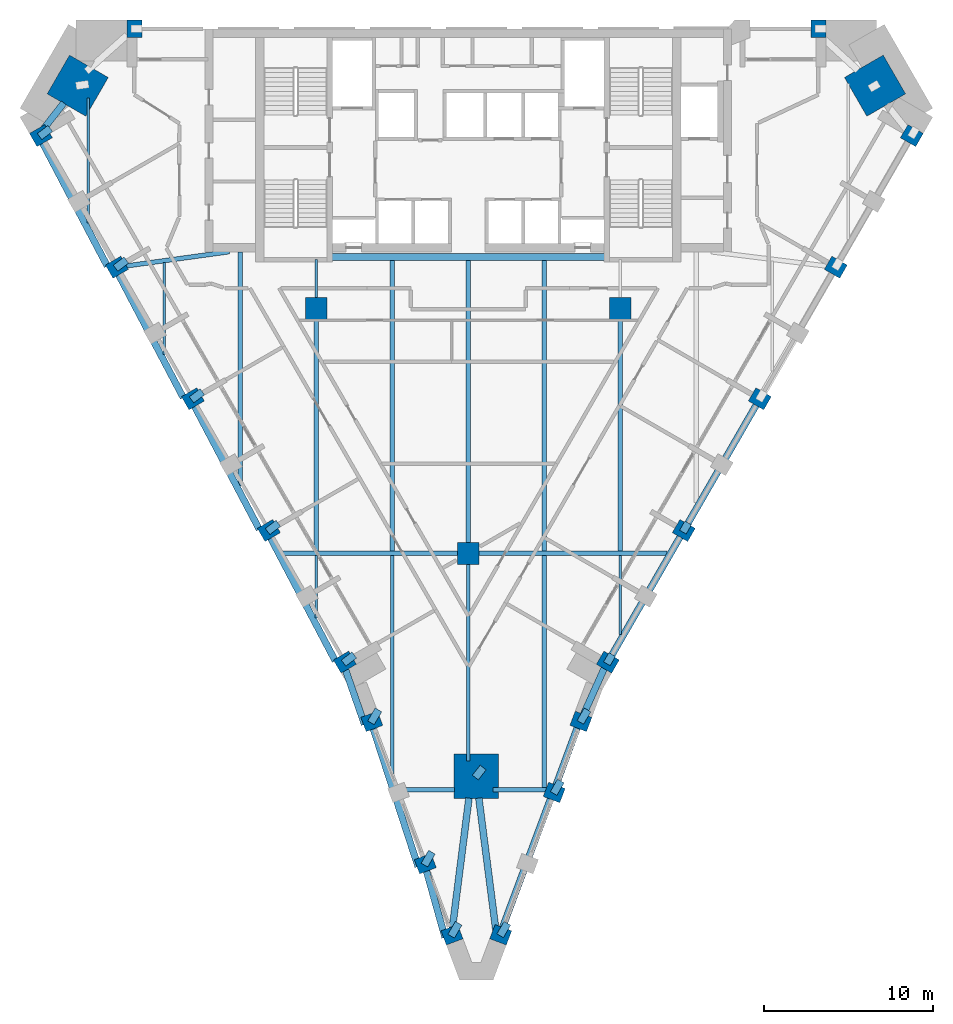
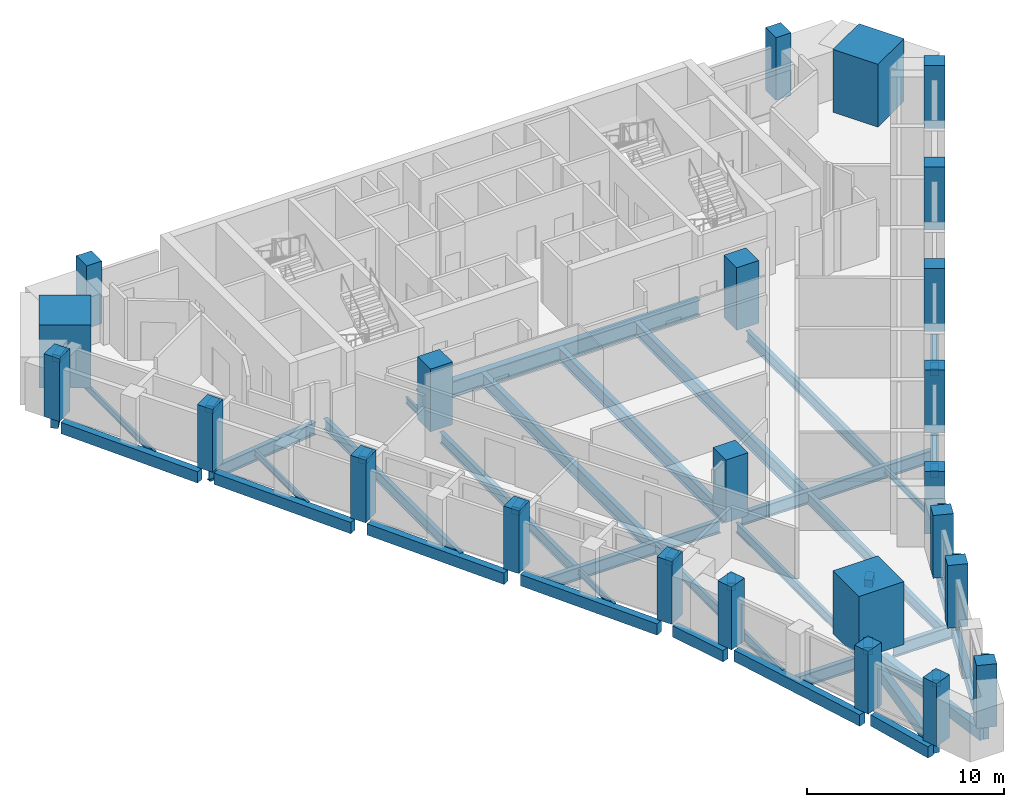
# One storey, part 1 of 10: 49 beams, 24 columns.
"""IFC4 building model written with IfcOpenShell, lengths in metres."""

from ifc_helpers import new_model, si_unit, direction, frame, origin, origin_2d, place, context, subcontext, project, spatial, rectangle, i_section, extrude, material, material_profile, profile_set, type_object, element, save


model = new_model("IFC4")

# Units and contexts
model_context = context("Model", 3, precision=1e-05, world=origin(), true_north=direction((0.0, 1.0)))
body_context = subcontext(model_context, "Body", "Model", "MODEL_VIEW")
ifc_project = project(units=[si_unit("LENGTHUNIT", "METRE"), si_unit("AREAUNIT", "SQUARE_METRE"), si_unit("VOLUMEUNIT", "CUBIC_METRE"), si_unit("PLANEANGLEUNIT", "RADIAN"), si_unit("MASSUNIT", "GRAM", prefix="KILO")], contexts=[model_context])

# Site, building, storey
site_placement = place(None, origin())
site = spatial("IfcSite", under=ifc_project, at=site_placement, CompositionType="ELEMENT")
building_placement = place(site_placement, origin())
building = spatial("IfcBuilding", under=site, at=building_placement, Name="Calabash Gate Tower", CompositionType="ELEMENT")
storey_placement = place(building_placement, frame((0.0, 0.0, 175.800048828125)))
storey = spatial("IfcBuildingStorey", under=building, at=storey_placement, Name="L41", CompositionType="ELEMENT", Elevation=175.800048828125)

# Columns
ifc_material_1 = material(Name="Concrete C70/85", Category="concrete")
ifc_material_profile_1 = material_profile(ifc_material_1, rectangle(XDim=1.300048828125, YDim=1.300048828125, at=origin_2d()))
ifc_profile_set_1 = profile_set([ifc_material_profile_1], Name="Concrete C70/85")
column_type_1 = type_object("IfcColumnType", Name="Interior column RC 1300x1300 Concrete C70/85", PredefinedType="COLUMN", material=ifc_profile_set_1)
for number, where, z_axis, x_axis, name in (
    (1, (-9.0, 2.5, 0.0), (0.0, 0.0, 1.0), (1.0, 0.0, 0.0), "Interior column L41 I0"),
    (2, (9.0, 2.5, 0.0), (0.0, 0.0, 1.0), (1.0, 0.0, 0.0), "Interior column L41 I1"),
    (3, (0.0, -12.0, 0.0), (0.0, 0.0, 1.0), (1.0, 0.0, 0.0), "Interior column L41 I2"),
):
    element("IfcColumn", number, at=place(storey_placement, frame(where, z_axis=z_axis, x_axis=x_axis)), inside=storey, type_object=column_type_1, Name=name, PredefinedType="COLUMN", context=body_context, shape_type="SweptSolid", body=[
        extrude(rectangle(XDim=1.300048828125, YDim=1.300048828125, at=origin_2d()), origin(), (0.0, 0.0, 1.0), 3.89990234375),
    ])
ifc_material_2 = material(Name="Concrete C70/85", Category="concrete")
ifc_material_profile_2 = material_profile(ifc_material_2, rectangle(XDim=2.64990234375, YDim=2.64990234375, at=origin_2d()))
ifc_profile_set_2 = profile_set([ifc_material_profile_2], Name="Concrete C70/85")
column_type_2 = type_object("IfcColumnType", Name="Mega column RC 2650x2650 Concrete C70/85", PredefinedType="COLUMN", material=ifc_profile_set_2)
for number, where, z_axis, x_axis, name in (
    (4, (-23.1259765625, 15.68896484375, 0.0), (0.0, 0.0, 1.0), (0.866025386331, -0.50000003023, 0.0), "Mega column L41 NW"),
    (5, (24.0869140625, 15.68896484375, 0.0), (0.0, 0.0, 1.0), (-0.866025386331, -0.50000003023, 0.0), "Mega column L41 NE"),
    (6, (0.47998046875, -25.197998046875, 0.0), (0.0, 0.0, 1.0), (0.0, 1.0, 0.0), "Mega column L41 S"),
):
    element("IfcColumn", number, at=place(storey_placement, frame(where, z_axis=z_axis, x_axis=x_axis)), inside=storey, type_object=column_type_2, Name=name, PredefinedType="COLUMN", context=body_context, shape_type="SweptSolid", body=[
        extrude(rectangle(XDim=2.64990234375, YDim=2.64990234375, at=origin_2d()), origin(), (0.0, 0.0, 1.0), 3.89990234375),
    ])
ifc_material_3 = material(Name="Concrete C60/75", Category="concrete")
ifc_material_profile_3 = material_profile(ifc_material_3, rectangle(XDim=0.89990234375, YDim=1.050048828125, at=origin_2d()))
ifc_profile_set_3 = profile_set([ifc_material_profile_3], Name="Concrete C60/75")
column_type_3 = type_object("IfcColumnType", Name="Perimeter column RC 900x1050 Concrete C60/75", PredefinedType="COLUMN", material=ifc_profile_set_3)
for number, where, z_axis, x_axis, name in (
    (7, (-25.303955078125, 12.73291015625, 0.0), (0.0, 0.0, 1.0), (0.5, -0.866025403784, 0.0), "Perimeter column L41 P20"),
    (8, (-20.803955078125, 4.93896484375, 0.0), (0.0, 0.0, 1.0), (0.5, -0.866025403784, 0.0), "Perimeter column L41 P00"),
    (9, (-16.303955078125, -2.85302734375, 0.0), (0.0, 0.0, 1.0), (0.5, -0.866025403784, 0.0), "Perimeter column L41 P01"),
    (10, (-11.803955078125, -10.64990234375, 0.0), (0.0, 0.0, 1.0), (0.5, -0.866025403784, 0.0), "Perimeter column L41 P02"),
    (11, (-7.303955078125, -18.444091796875, 0.0), (0.0, 0.0, 1.0), (0.5, -0.866025403784, 0.0), "Perimeter column L41 P03"),
    (12, (-5.7119140625, -21.951904296875, 0.0), (0.0, 0.0, 1.0), (0.351822468316, -0.936066744836, 0.0), "Perimeter column L41 P25"),
    (13, (-2.54296875, -30.3759765625, 0.0), (0.0, 0.0, 1.0), (0.351822468316, -0.936066744836, 0.0), "Perimeter column L41 P26"),
    (14, (-0.9619140625, -34.589111328125, 0.0), (0.0, 0.0, 1.0), (0.351822468316, -0.936066744836, 0.0), "Perimeter column L41 P27"),
    (15, (1.9208984375, -34.589111328125, 0.0), (0.0, 0.0, 1.0), (0.351822517328, 0.936066726415, 0.0), "Perimeter column L41 P28"),
    (16, (5.087890625, -26.1640625, 0.0), (0.0, 0.0, 1.0), (0.351822517328, 0.936066726415, 0.0), "Perimeter column L41 P08"),
    (17, (6.6708984375, -21.951904296875, 0.0), (0.0, 0.0, 1.0), (0.351822517328, 0.936066726415, 0.0), "Perimeter column L41 P29"),
    (18, (8.262939453125, -18.444091796875, 0.0), (0.0, 0.0, 1.0), (0.499999984885, 0.866025412511, 0.0), "Perimeter column L41 P09"),
    (19, (12.762939453125, -10.64990234375, 0.0), (0.0, 0.0, 1.0), (0.499999984885, 0.866025412511, 0.0), "Perimeter column L41 P10"),
    (20, (17.262939453125, -2.85302734375, 0.0), (0.0, 0.0, 1.0), (0.499999984885, 0.866025412511, 0.0), "Perimeter column L41 P11"),
    (21, (21.762939453125, 4.93896484375, 0.0), (0.0, 0.0, 1.0), (0.499999984885, 0.866025412511, 0.0), "Perimeter column L41 P12"),
    (22, (26.262939453125, 12.73291015625, 0.0), (0.0, 0.0, 1.0), (0.499999984885, 0.866025412511, 0.0), "Perimeter column L41 P13"),
    (23, (20.72998046875, 19.052978515625, 0.0), (0.0, 0.0, 1.0), (-1.0, 0.0, 0.0), "Perimeter column L41 P24"),
    (24, (-19.77001953125, 19.052978515625, 0.0), (0.0, 0.0, 1.0), (-1.0, 0.0, 0.0), "Perimeter column L41 P17"),
):
    element("IfcColumn", number, at=place(storey_placement, frame(where, z_axis=z_axis, x_axis=x_axis)), inside=storey, type_object=column_type_3, Name=name, PredefinedType="COLUMN", context=body_context, shape_type="SweptSolid", body=[
        extrude(rectangle(XDim=0.89990234375, YDim=1.050048828125, at=origin_2d()), origin(), (0.0, 0.0, 1.0), 3.89990234375),
    ])

# Beams
ifc_material_4 = material(Name="Concrete C80/95", Category="concrete")
ifc_material_profile_4 = material_profile(ifc_material_4, rectangle(XDim=0.449951171875, YDim=0.449951171875, at=origin_2d()))
ifc_profile_set_4 = profile_set([ifc_material_profile_4], Name="Concrete C80/95")
beam_type_1 = type_object("IfcBeamType", Name="Column offset link RC 450x450 Concrete C80/95", PredefinedType="BEAM", material=ifc_profile_set_4)
for number, where, z_axis, x_axis, name in (
    (25, (-20.883056640625, 4.8779296875, 3.50390625), (0.795831899438, 0.605517619757, 0.0), (-0.605517619757, 0.795831899438, 0.0), "Column offset link L41 P00"),
    (26, (-16.383056640625, -2.916015625, 3.50390625), (0.795979347838, 0.605323779325, 0.0), (-0.605323779325, 0.795979347838, 0.0), "Column offset link L41 P01"),
):
    element("IfcBeam", number, at=place(storey_placement, frame(where, z_axis=z_axis, x_axis=x_axis)), inside=storey, type_object=beam_type_1, Name=name, PredefinedType="BEAM", context=body_context, shape_type="SweptSolid", body=[
        extrude(rectangle(XDim=0.449951171875, YDim=0.449951171875, at=origin_2d()), origin(), (0.0, 0.0, 1.0), 0.7978515625),
    ])
for number, where, z_axis, x_axis, name in (
    (27, (-11.883056640625, -10.7099609375, 3.50390625), (0.796569214938, 0.604547339596, 0.0), (-0.604547339596, 0.796569214938, 0.0), "Column offset link L41 P02"),
    (28, (-7.383056640625, -18.50390625, 3.50390625), (0.796569214938, 0.604547339596, 0.0), (-0.604547339596, 0.796569214938, 0.0), "Column offset link L41 P03"),
):
    element("IfcBeam", number, at=place(storey_placement, frame(where, z_axis=z_axis, x_axis=x_axis)), inside=storey, type_object=beam_type_1, Name=name, PredefinedType="BEAM", context=body_context, shape_type="SweptSolid", body=[
        extrude(rectangle(XDim=0.449951171875, YDim=0.449951171875, at=origin_2d()), origin(), (0.0, 0.0, 1.0), 0.797119140625),
    ])
beam_1_placement = place(storey_placement, frame((5.053955078125, -26.222900390625, 3.50390625), z_axis=(0.498938415644, 0.866637442876, 0.0), x_axis=(-0.866637442876, 0.498938415644, 0.0)))
element("IfcBeam", 29, at=beam_1_placement, inside=storey, type_object=beam_type_1, Name="Column offset link L41 P08", PredefinedType="BEAM", context=body_context, shape_type="SweptSolid", body=[
    extrude(rectangle(XDim=0.449951171875, YDim=0.449951171875, at=origin_2d()), origin(), (0.0, 0.0, 1.0), 0.853759765625),
])
beam_2_placement = place(storey_placement, frame((8.20703125, -18.541015625, 3.50390625), z_axis=(0.500393920955, 0.865797853931, 0.0), x_axis=(-0.865797853931, 0.500393920955, 0.0)))
element("IfcBeam", 30, at=beam_2_placement, inside=storey, type_object=beam_type_1, Name="Column offset link L41 P09", PredefinedType="BEAM", context=body_context, shape_type="SweptSolid", body=[
    extrude(rectangle(XDim=0.449951171875, YDim=0.449951171875, at=origin_2d()), origin(), (0.0, 0.0, 1.0), 0.62939453125),
])
beam_3_placement = place(storey_placement, frame((12.70703125, -10.7470703125, 3.50390625), z_axis=(0.499554821267, 0.866282275329, 0.0), x_axis=(-0.866282275329, 0.499554821267, 0.0)))
element("IfcBeam", 31, at=beam_3_placement, inside=storey, type_object=beam_type_1, Name="Column offset link L41 P10", PredefinedType="BEAM", context=body_context, shape_type="SweptSolid", body=[
    extrude(rectangle(XDim=0.449951171875, YDim=0.449951171875, at=origin_2d()), origin(), (0.0, 0.0, 1.0), 0.63037109375),
])
beam_4_placement = place(storey_placement, frame((-25.383056640625, 12.673095703125, 3.50390625), z_axis=(0.795389599116, 0.606098494982, 0.0), x_axis=(-0.606098494982, 0.795389599116, 0.0)))
element("IfcBeam", 32, at=beam_4_placement, inside=storey, type_object=beam_type_1, Name="Column offset link L41 P20", PredefinedType="BEAM", context=body_context, shape_type="SweptSolid", body=[
    extrude(rectangle(XDim=0.449951171875, YDim=0.449951171875, at=origin_2d()), origin(), (0.0, 0.0, 1.0), 0.79833984375),
])
beam_5_placement = place(storey_placement, frame((-5.761962890625, -22.0380859375, 3.50390625), z_axis=(0.499642793338, 0.866231538947, 0.0), x_axis=(-0.866231538947, 0.499642793338, 0.0)))
element("IfcBeam", 33, at=beam_5_placement, inside=storey, type_object=beam_type_1, Name="Column offset link L41 P25", PredefinedType="BEAM", context=body_context, shape_type="SweptSolid", body=[
    extrude(rectangle(XDim=0.449951171875, YDim=0.449951171875, at=origin_2d()), origin(), (0.0, 0.0, 1.0), 0.884521484375),
])
beam_6_placement = place(storey_placement, frame((-2.593017578125, -30.462890625, 3.50390625), z_axis=(0.498102350858, 0.867118243419, 0.0), x_axis=(-0.867118243419, 0.498102350858, 0.0)))
element("IfcBeam", 34, at=beam_6_placement, inside=storey, type_object=beam_type_1, Name="Column offset link L41 P26", PredefinedType="BEAM", context=body_context, shape_type="SweptSolid", body=[
    extrude(rectangle(XDim=0.449951171875, YDim=0.449951171875, at=origin_2d()), origin(), (0.0, 0.0, 1.0), 0.88330078125),
])
beam_7_placement = place(storey_placement, frame((-1.011962890625, -34.673095703125, 3.50390625), z_axis=(0.500600114123, 0.865678650389, 0.0), x_axis=(-0.865678650389, 0.500600114123, 0.0)))
element("IfcBeam", 35, at=beam_7_placement, inside=storey, type_object=beam_type_1, Name="Column offset link L41 P27", PredefinedType="BEAM", context=body_context, shape_type="SweptSolid", body=[
    extrude(rectangle(XDim=0.449951171875, YDim=0.449951171875, at=origin_2d()), origin(), (0.0, 0.0, 1.0), 0.8828125),
])
beam_8_placement = place(storey_placement, frame((1.887939453125, -34.64697265625, 3.50390625), z_axis=(0.499929120747, 0.866066322073, 0.0), x_axis=(-0.866066322073, 0.499929120747, 0.0)))
element("IfcBeam", 36, at=beam_8_placement, inside=storey, type_object=beam_type_1, Name="Column offset link L41 P28", PredefinedType="BEAM", context=body_context, shape_type="SweptSolid", body=[
    extrude(rectangle(XDim=0.449951171875, YDim=0.449951171875, at=origin_2d()), origin(), (0.0, 0.0, 1.0), 0.85205078125),
])
beam_9_placement = place(storey_placement, frame((6.636962890625, -22.010986328125, 3.50390625), z_axis=(0.499433358528, 0.866352307315, 0.0), x_axis=(-0.866352307315, 0.499433358528, 0.0)))
element("IfcBeam", 37, at=beam_9_placement, inside=storey, type_object=beam_type_1, Name="Column offset link L41 P29", PredefinedType="BEAM", context=body_context, shape_type="SweptSolid", body=[
    extrude(rectangle(XDim=0.449951171875, YDim=0.449951171875, at=origin_2d()), origin(), (0.0, 0.0, 1.0), 0.85302734375),
])
beam_10_placement = place(storey_placement, frame((0.41796875, -25.27587890625, 3.50390625), z_axis=(0.618708601907, 0.785620561038, 0.0), x_axis=(-0.785620561038, 0.618708601907, 0.0)))
element("IfcBeam", 38, at=beam_10_placement, inside=storey, type_object=beam_type_1, Name="Column offset link L41 S", PredefinedType="BEAM", context=body_context, shape_type="SweptSolid", body=[
    extrude(rectangle(XDim=0.449951171875, YDim=0.449951171875, at=origin_2d()), origin(), (0.0, 0.0, 1.0), 0.753173828125),
])
ifc_material_5 = material(Name="Concrete C50/60", Category="concrete")
ifc_material_profile_5 = material_profile(ifc_material_5, rectangle(XDim=0.39990234375, YDim=0.699951171875, at=origin_2d()))
ifc_profile_set_5 = profile_set([ifc_material_profile_5], Name="Concrete C50/60")
beam_type_2 = type_object("IfcBeamType", Name="Edge beam RC 400x700 Concrete C50/60", PredefinedType="BEAM", material=ifc_profile_set_5)
beam_11_placement = place(storey_placement, frame((-16.208984375, -3.2890625, -0.52001953125), z_axis=(0.465675564473, -0.884955517895, 0.0), x_axis=(0.884955517895, 0.465675564473, 0.0)))
element("IfcBeam", 39, at=beam_11_placement, inside=storey, type_object=beam_type_2, Name="Edge beam L41 1", PredefinedType="BEAM", context=body_context, shape_type="SweptSolid", body=[
    extrude(rectangle(XDim=0.39990234375, YDim=0.699951171875, at=origin_2d()), origin(), (0.0, 0.0, 1.0), 8.2353515625),
])
beam_12_placement = place(storey_placement, frame((-11.708984375, -11.0830078125, -0.52001953125), z_axis=(0.465663347669, -0.884961946435, 0.0), x_axis=(0.884961946435, 0.465663347669, 0.0)))
element("IfcBeam", 40, at=beam_12_placement, inside=storey, type_object=beam_type_2, Name="Edge beam L41 2", PredefinedType="BEAM", context=body_context, shape_type="SweptSolid", body=[
    extrude(rectangle(XDim=0.39990234375, YDim=0.699951171875, at=origin_2d()), origin(), (0.0, 0.0, 1.0), 8.235595703125),
])
beam_13_placement = place(storey_placement, frame((-7.261962890625, -18.909912109375, -0.52001953125), z_axis=(0.328245355314, -0.944592497702, 0.0), x_axis=(0.944592497702, 0.328245355314, 0.0)))
element("IfcBeam", 41, at=beam_13_placement, inside=storey, type_object=beam_type_2, Name="Edge beam L41 3", PredefinedType="BEAM", context=body_context, shape_type="SweptSolid", body=[
    extrude(rectangle(XDim=0.39990234375, YDim=0.699951171875, at=origin_2d()), origin(), (0.0, 0.0, 1.0), 3.40576171875),
])
beam_14_placement = place(storey_placement, frame((-5.62890625, -22.3720703125, -0.52001953125), z_axis=(0.309131657382, -0.951019252384, 0.0), x_axis=(0.951019252384, 0.309131657382, 0.0)))
element("IfcBeam", 42, at=beam_14_placement, inside=storey, type_object=beam_type_2, Name="Edge beam L41 4", PredefinedType="BEAM", context=body_context, shape_type="SweptSolid", body=[
    extrude(rectangle(XDim=0.39990234375, YDim=0.699951171875, at=origin_2d()), origin(), (0.0, 0.0, 1.0), 8.59814453125),
])
beam_15_placement = place(storey_placement, frame((-2.47412109375, -30.81298828125, -0.52001953125), z_axis=(0.269059658347, -0.963123512459, 0.0), x_axis=(0.963123512459, 0.269059658347, 0.0)))
element("IfcBeam", 43, at=beam_15_placement, inside=storey, type_object=beam_type_2, Name="Edge beam L41 5", PredefinedType="BEAM", context=body_context, shape_type="SweptSolid", body=[
    extrude(rectangle(XDim=0.39990234375, YDim=0.699951171875, at=origin_2d()), origin(), (0.0, 0.0, 1.0), 4.081298828125),
])
beam_16_placement = place(storey_placement, frame((-0.990966796875, -34.60205078125, -0.52001953125), z_axis=(0.126376125959, 0.99198239641, 0.0), x_axis=(-0.99198239641, 0.126376125959, 0.0)))
element("IfcBeam", 44, at=beam_16_placement, inside=storey, type_object=beam_type_2, Name="Edge beam L41 6", PredefinedType="BEAM", context=body_context, shape_type="SweptSolid", body=[
    extrude(rectangle(XDim=0.39990234375, YDim=0.699951171875, at=origin_2d()), origin(), (0.0, 0.0, 1.0), 8.173583984375),
])
beam_17_placement = place(storey_placement, frame((0.626953125, -26.492919921875, -0.52001953125), z_axis=(0.127868304921, -0.991791155736, 0.0), x_axis=(0.991791155736, 0.127868304921, 0.0)))
element("IfcBeam", 45, at=beam_17_placement, inside=storey, type_object=beam_type_2, Name="Edge beam L41 7", PredefinedType="BEAM", context=body_context, shape_type="SweptSolid", body=[
    extrude(rectangle(XDim=0.39990234375, YDim=0.699951171875, at=origin_2d()), origin(), (0.0, 0.0, 1.0), 8.345703125),
])
beam_18_placement = place(storey_placement, frame((1.7939453125, -34.799072265625, -0.52001953125), z_axis=(0.349546583338, 0.936918985866, 0.0), x_axis=(-0.936918985866, 0.349546583338, 0.0)))
element("IfcBeam", 46, at=beam_18_placement, inside=storey, type_object=beam_type_2, Name="Edge beam L41 8", PredefinedType="BEAM", context=body_context, shape_type="SweptSolid", body=[
    extrude(rectangle(XDim=0.39990234375, YDim=0.699951171875, at=origin_2d()), origin(), (0.0, 0.0, 1.0), 8.808837890625),
])
beam_19_placement = place(storey_placement, frame((4.9609375, -26.373046875, -0.52001953125), z_axis=(0.34714449754, 0.937811653707, 0.0), x_axis=(-0.937811653707, 0.34714449754, 0.0)))
element("IfcBeam", 47, at=beam_19_placement, inside=storey, type_object=beam_type_2, Name="Edge beam L41 9", PredefinedType="BEAM", context=body_context, shape_type="SweptSolid", body=[
    extrude(rectangle(XDim=0.39990234375, YDim=0.699951171875, at=origin_2d()), origin(), (0.0, 0.0, 1.0), 4.306884765625),
])
beam_20_placement = place(storey_placement, frame((6.5419921875, -22.1708984375, -0.52001953125), z_axis=(0.410262361103, 0.911967540575, 0.0), x_axis=(-0.911967540575, 0.410262361103, 0.0)))
element("IfcBeam", 48, at=beam_20_placement, inside=storey, type_object=beam_type_2, Name="Edge beam L41 10", PredefinedType="BEAM", context=body_context, shape_type="SweptSolid", body=[
    extrude(rectangle(XDim=0.39990234375, YDim=0.699951171875, at=origin_2d()), origin(), (0.0, 0.0, 1.0), 3.671142578125),
])
beam_21_placement = place(storey_placement, frame((8.27197265625, -18.427978515625, -0.52001953125), z_axis=(0.500197168152, 0.865911538768, 0.0), x_axis=(-0.865911538768, 0.500197168152, 0.0)))
element("IfcBeam", 49, at=beam_21_placement, inside=storey, type_object=beam_type_2, Name="Edge beam L41 11", PredefinedType="BEAM", context=body_context, shape_type="SweptSolid", body=[
    extrude(rectangle(XDim=0.39990234375, YDim=0.699951171875, at=origin_2d()), origin(), (0.0, 0.0, 1.0), 8.546875),
])
beam_22_placement = place(storey_placement, frame((12.77197265625, -10.634033203125, -0.52001953125), z_axis=(0.500135313796, 0.865947266232, 0.0), x_axis=(-0.865947266232, 0.500135313796, 0.0)))
element("IfcBeam", 50, at=beam_22_placement, inside=storey, type_object=beam_type_2, Name="Edge beam L41 12", PredefinedType="BEAM", context=body_context, shape_type="SweptSolid", body=[
    extrude(rectangle(XDim=0.39990234375, YDim=0.699951171875, at=origin_2d()), origin(), (0.0, 0.0, 1.0), 8.548095703125),
])
beam_23_placement = place(storey_placement, frame((-23.947021484375, 14.6689453125, -0.52001953125), z_axis=(-0.615372333956, -0.788236570201, 0.0), x_axis=(0.788236570201, -0.615372333956, 0.0)))
element("IfcBeam", 51, at=beam_23_placement, inside=storey, type_object=beam_type_2, Name="Edge beam L41 18", PredefinedType="BEAM", context=body_context, shape_type="SweptSolid", body=[
    extrude(rectangle(XDim=0.39990234375, YDim=0.699951171875, at=origin_2d()), origin(), (0.0, 0.0, 1.0), 2.406494140625),
])
beam_24_placement = place(storey_placement, frame((-25.208984375, 12.299072265625, -0.52001953125), z_axis=(0.465663347669, -0.884961946435, 0.0), x_axis=(0.884961946435, 0.465663347669, 0.0)))
element("IfcBeam", 52, at=beam_24_placement, inside=storey, type_object=beam_type_2, Name="Edge beam L41 19", PredefinedType="BEAM", context=body_context, shape_type="SweptSolid", body=[
    extrude(rectangle(XDim=0.39990234375, YDim=0.699951171875, at=origin_2d()), origin(), (0.0, 0.0, 1.0), 8.235595703125),
])
beam_25_placement = place(storey_placement, frame((-20.708984375, 4.507080078125, -0.52001953125), z_axis=(0.465565633109, -0.885013356547, 0.0), x_axis=(0.885013356547, 0.465565633109, 0.0)))
element("IfcBeam", 53, at=beam_25_placement, inside=storey, type_object=beam_type_2, Name="Edge beam L41 20", PredefinedType="BEAM", context=body_context, shape_type="SweptSolid", body=[
    extrude(rectangle(XDim=0.39990234375, YDim=0.699951171875, at=origin_2d()), origin(), (0.0, 0.0, 1.0), 8.2373046875),
])
ifc_material_6 = material(Name="Steel ASTM A992 Gr50", Category="steel")
ifc_material_profile_6 = material_profile(ifc_material_6, i_section(OverallWidth=0.1396484375, OverallDepth=0.398681640625, WebThickness=0.00634765625, FlangeThickness=0.0087890625, FilletRadius=0.01025390625, at=origin_2d()))
ifc_profile_set_6 = profile_set([ifc_material_profile_6], Name="Steel ASTM A992 Gr50")
beam_type_3 = type_object("IfcBeamType", Name="Floor beam W16x26 ASTM A992 Gr50", PredefinedType="BEAM", material=ifc_profile_set_6)
beam_26_placement = place(storey_placement, frame((-22.5, 7.56689453125, -0.369140625), z_axis=(0.0, 1.0, 0.0), x_axis=(-1.0, 0.0, 0.0)))
element("IfcBeam", 54, at=beam_26_placement, inside=storey, type_object=beam_type_3, Name="Floor beam L41 1", PredefinedType="BEAM", context=body_context, shape_type="SweptSolid", body=[
    extrude(i_section(OverallWidth=0.1396484375, OverallDepth=0.398681640625, WebThickness=0.00634765625, FlangeThickness=0.0087890625, FilletRadius=0.01025390625, at=origin_2d()), origin(), (0.0, 0.0, 1.0), 7.39013671875),
])
beam_27_placement = place(storey_placement, frame((-18.0, -0.22900390625, -0.369140625), z_axis=(0.0, 1.0, 0.0), x_axis=(-1.0, 0.0, 0.0)))
element("IfcBeam", 55, at=beam_27_placement, inside=storey, type_object=beam_type_3, Name="Floor beam L41 2", PredefinedType="BEAM", context=body_context, shape_type="SweptSolid", body=[
    extrude(i_section(OverallWidth=0.1396484375, OverallDepth=0.398681640625, WebThickness=0.00634765625, FlangeThickness=0.0087890625, FilletRadius=0.01025390625, at=origin_2d()), origin(), (0.0, 0.0, 1.0), 5.44189453125),
])
beam_28_placement = place(storey_placement, frame((-9.0, -15.818115234375, -0.369140625), z_axis=(0.0, 1.0, 0.0), x_axis=(-1.0, 0.0, 0.0)))
element("IfcBeam", 56, at=beam_28_placement, inside=storey, type_object=beam_type_3, Name="Floor beam L41 4", PredefinedType="BEAM", context=body_context, shape_type="SweptSolid", body=[
    extrude(i_section(OverallWidth=0.1396484375, OverallDepth=0.398681640625, WebThickness=0.00634765625, FlangeThickness=0.0087890625, FilletRadius=0.01025390625, at=origin_2d()), origin(), (0.0, 0.0, 1.0), 3.68505859375),
])
beam_29_placement = place(storey_placement, frame((-9.0, 3.14990234375, -0.369140625), z_axis=(0.0, 1.0, 0.0), x_axis=(-1.0, 0.0, 0.0)))
element("IfcBeam", 57, at=beam_29_placement, inside=storey, type_object=beam_type_3, Name="Floor beam L41 6", PredefinedType="BEAM", context=body_context, shape_type="SweptSolid", body=[
    extrude(i_section(OverallWidth=0.1396484375, OverallDepth=0.398681640625, WebThickness=0.00634765625, FlangeThickness=0.0087890625, FilletRadius=0.01025390625, at=origin_2d()), origin(), (0.0, 0.0, 1.0), 2.253173828125),
])
beam_30_placement = place(storey_placement, frame((9.0, -16.799072265625, -0.369140625), z_axis=(0.0, 1.0, 0.0), x_axis=(-1.0, 0.0, 0.0)))
element("IfcBeam", 58, at=beam_30_placement, inside=storey, type_object=beam_type_3, Name="Floor beam L41 13", PredefinedType="BEAM", context=body_context, shape_type="SweptSolid", body=[
    extrude(i_section(OverallWidth=0.1396484375, OverallDepth=0.398681640625, WebThickness=0.00634765625, FlangeThickness=0.0087890625, FilletRadius=0.01025390625, at=origin_2d()), origin(), (0.0, 0.0, 1.0), 4.666015625),
])
ifc_material_7 = material(Name="Steel ASTM A992 Gr50", Category="steel")
ifc_material_profile_7 = material_profile(ifc_material_7, i_section(OverallWidth=0.1787109375, OverallDepth=0.60205078125, WebThickness=0.010986328125, FlangeThickness=0.014892578125, FilletRadius=0.0126953125, at=origin_2d()))
ifc_profile_set_7 = profile_set([ifc_material_profile_7], Name="Steel ASTM A992 Gr50")
beam_type_4 = type_object("IfcBeamType", Name="Floor beam W24x62 ASTM A992 Gr50", PredefinedType="BEAM", material=ifc_profile_set_7)
beam_31_placement = place(storey_placement, frame((-4.5, -25.2109375, -0.470947265625), z_axis=(0.0, 1.0, 0.0), x_axis=(-1.0, 0.0, 0.0)))
element("IfcBeam", 59, at=beam_31_placement, inside=storey, type_object=beam_type_4, Name="Floor beam L41 7", PredefinedType="BEAM", context=body_context, shape_type="SweptSolid", body=[
    extrude(i_section(OverallWidth=0.1787109375, OverallDepth=0.60205078125, WebThickness=0.010986328125, FlangeThickness=0.014892578125, FilletRadius=0.0126953125, at=origin_2d()), origin(), (0.0, 0.0, 1.0), 13.077880859375),
])
beam_32_placement = place(storey_placement, frame((0.0, -24.302978515625, -0.470947265625), z_axis=(0.0, 1.0, 0.0), x_axis=(-1.0, 0.0, 0.0)))
element("IfcBeam", 60, at=beam_32_placement, inside=storey, type_object=beam_type_4, Name="Floor beam L41 9", PredefinedType="BEAM", context=body_context, shape_type="SweptSolid", body=[
    extrude(i_section(OverallWidth=0.1787109375, OverallDepth=0.60205078125, WebThickness=0.010986328125, FlangeThickness=0.014892578125, FilletRadius=0.0126953125, at=origin_2d()), origin(), (0.0, 0.0, 1.0), 11.653076171875),
])
ifc_material_8 = material(Name="Steel ASTM A992 Gr50", Category="steel")
ifc_material_profile_8 = material_profile(ifc_material_8, i_section(OverallWidth=0.25390625, OverallDepth=0.67822265625, WebThickness=0.01171875, FlangeThickness=0.016357421875, FilletRadius=0.01513671875, at=origin_2d()))
ifc_profile_set_8 = profile_set([ifc_material_profile_8], Name="Steel ASTM A992 Gr50")
beam_type_5 = type_object("IfcBeamType", Name="Floor beam W27x84 ASTM A992 Gr50", PredefinedType="BEAM", material=ifc_profile_set_8)
beam_33_placement = place(storey_placement, frame((-13.5, -8.02294921875, -0.509033203125), z_axis=(0.0, 1.0, 0.0), x_axis=(-1.0, 0.0, 0.0)))
element("IfcBeam", 61, at=beam_33_placement, inside=storey, type_object=beam_type_5, Name="Floor beam L41 3", PredefinedType="BEAM", context=body_context, shape_type="SweptSolid", body=[
    extrude(i_section(OverallWidth=0.25390625, OverallDepth=0.67822265625, WebThickness=0.01171875, FlangeThickness=0.016357421875, FilletRadius=0.01513671875, at=origin_2d()), origin(), (0.0, 0.0, 1.0), 13.8759765625),
])
beam_34_placement = place(storey_placement, frame((-9.0, -11.866943359375, -0.509033203125), z_axis=(0.0, 1.0, 0.0), x_axis=(-1.0, 0.0, 0.0)))
element("IfcBeam", 62, at=beam_34_placement, inside=storey, type_object=beam_type_5, Name="Floor beam L41 5", PredefinedType="BEAM", context=body_context, shape_type="SweptSolid", body=[
    extrude(i_section(OverallWidth=0.25390625, OverallDepth=0.67822265625, WebThickness=0.01171875, FlangeThickness=0.016357421875, FilletRadius=0.01513671875, at=origin_2d()), origin(), (0.0, 0.0, 1.0), 13.717041015625),
])
beam_35_placement = place(storey_placement, frame((4.5, -25.89892578125, -0.509033203125), z_axis=(0.0, 1.0, 0.0), x_axis=(-1.0, 0.0, 0.0)))
element("IfcBeam", 63, at=beam_35_placement, inside=storey, type_object=beam_type_5, Name="Floor beam L41 11", PredefinedType="BEAM", context=body_context, shape_type="SweptSolid", body=[
    extrude(i_section(OverallWidth=0.25390625, OverallDepth=0.67822265625, WebThickness=0.01171875, FlangeThickness=0.016357421875, FilletRadius=0.01513671875, at=origin_2d()), origin(), (0.0, 0.0, 1.0), 13.765869140625),
])
beam_36_placement = place(storey_placement, frame((9.0, -11.866943359375, -0.509033203125), z_axis=(0.0, 1.0, 0.0), x_axis=(-1.0, 0.0, 0.0)))
element("IfcBeam", 64, at=beam_36_placement, inside=storey, type_object=beam_type_5, Name="Floor beam L41 14", PredefinedType="BEAM", context=body_context, shape_type="SweptSolid", body=[
    extrude(i_section(OverallWidth=0.25390625, OverallDepth=0.67822265625, WebThickness=0.01171875, FlangeThickness=0.016357421875, FilletRadius=0.01513671875, at=origin_2d()), origin(), (0.0, 0.0, 1.0), 13.717041015625),
])
ifc_material_9 = material(Name="Steel ASTM A992 Gr50", Category="steel")
ifc_material_profile_9 = material_profile(ifc_material_9, i_section(OverallWidth=0.2919921875, OverallDepth=0.845703125, WebThickness=0.015380859375, FlangeThickness=0.0244140625, FilletRadius=0.017822265625, at=origin_2d()))
ifc_profile_set_9 = profile_set([ifc_material_profile_9], Name="Steel ASTM A992 Gr50")
beam_type_6 = type_object("IfcBeamType", Name="Floor beam W33x141 ASTM A992 Gr50", PredefinedType="BEAM", material=ifc_profile_set_9)
beam_37_placement = place(storey_placement, frame((-4.5, -11.866943359375, -0.593017578125), z_axis=(0.0, 1.0, 0.0), x_axis=(-1.0, 0.0, 0.0)))
element("IfcBeam", 65, at=beam_37_placement, inside=storey, type_object=beam_type_6, Name="Floor beam L41 8", PredefinedType="BEAM", context=body_context, shape_type="SweptSolid", body=[
    extrude(i_section(OverallWidth=0.2919921875, OverallDepth=0.845703125, WebThickness=0.015380859375, FlangeThickness=0.0244140625, FilletRadius=0.017822265625, at=origin_2d()), origin(), (0.0, 0.0, 1.0), 17.218994140625),
])
beam_38_placement = place(storey_placement, frame((0.0, -11.35009765625, -0.593017578125), z_axis=(0.0, 1.0, 0.0), x_axis=(-1.0, 0.0, 0.0)))
element("IfcBeam", 66, at=beam_38_placement, inside=storey, type_object=beam_type_6, Name="Floor beam L41 10", PredefinedType="BEAM", context=body_context, shape_type="SweptSolid", body=[
    extrude(i_section(OverallWidth=0.2919921875, OverallDepth=0.845703125, WebThickness=0.015380859375, FlangeThickness=0.0244140625, FilletRadius=0.017822265625, at=origin_2d()), origin(), (0.0, 0.0, 1.0), 16.7021484375),
])
beam_39_placement = place(storey_placement, frame((4.5, -11.866943359375, -0.593017578125), z_axis=(0.0, 1.0, 0.0), x_axis=(-1.0, 0.0, 0.0)))
element("IfcBeam", 67, at=beam_39_placement, inside=storey, type_object=beam_type_6, Name="Floor beam L41 12", PredefinedType="BEAM", context=body_context, shape_type="SweptSolid", body=[
    extrude(i_section(OverallWidth=0.2919921875, OverallDepth=0.845703125, WebThickness=0.015380859375, FlangeThickness=0.0244140625, FilletRadius=0.017822265625, at=origin_2d()), origin(), (0.0, 0.0, 1.0), 17.218994140625),
])
ifc_material_10 = material(Name="Steel ASTM A992 Gr50", Category="steel")
ifc_material_profile_10 = material_profile(ifc_material_10, i_section(OverallWidth=0.2666015625, OverallDepth=0.77978515625, WebThickness=0.0166015625, FlangeThickness=0.030029296875, FilletRadius=0.0166015625, at=origin_2d()))
ifc_profile_set_10 = profile_set([ifc_material_profile_10], Name="Steel ASTM A992 Gr50")
beam_type_7 = type_object("IfcBeamType", Name="Girder W30x148 ASTM A992 Gr50", PredefinedType="BEAM", material=ifc_profile_set_10)
beam_40_placement = place(storey_placement, frame((-20.887939453125, 4.927001953125, -0.56005859375), z_axis=(0.990618279265, 0.136658057886, 0.0), x_axis=(-0.136658057886, 0.990618279265, 0.0)))
element("IfcBeam", 68, at=beam_40_placement, inside=storey, type_object=beam_type_7, Name="Girder L41 2", PredefinedType="BEAM", context=body_context, shape_type="SweptSolid", body=[
    extrude(i_section(OverallWidth=0.2666015625, OverallDepth=0.77978515625, WebThickness=0.0166015625, FlangeThickness=0.030029296875, FilletRadius=0.0166015625, at=origin_2d()), origin(), (0.0, 0.0, 1.0), 6.797607421875),
])
beam_41_placement = place(storey_placement, frame((-11.013916015625, -12.0, -0.56005859375), z_axis=(1.0, 0.0, 0.0), x_axis=(0.0, 1.0, 0.0)))
element("IfcBeam", 69, at=beam_41_placement, inside=storey, type_object=beam_type_7, Name="Girder L41 4", PredefinedType="BEAM", context=body_context, shape_type="SweptSolid", body=[
    extrude(i_section(OverallWidth=0.2666015625, OverallDepth=0.77978515625, WebThickness=0.0166015625, FlangeThickness=0.030029296875, FilletRadius=0.0166015625, at=origin_2d()), origin(), (0.0, 0.0, 1.0), 10.364013671875),
])
beam_42_placement = place(storey_placement, frame((0.64990234375, -12.0, -0.56005859375), z_axis=(1.0, 0.0, 0.0), x_axis=(0.0, 1.0, 0.0)))
element("IfcBeam", 70, at=beam_42_placement, inside=storey, type_object=beam_type_7, Name="Girder L41 5", PredefinedType="BEAM", context=body_context, shape_type="SweptSolid", body=[
    extrude(i_section(OverallWidth=0.2666015625, OverallDepth=0.77978515625, WebThickness=0.0166015625, FlangeThickness=0.030029296875, FilletRadius=0.0166015625, at=origin_2d()), origin(), (0.0, 0.0, 1.0), 11.123046875),
])
beam_43_placement = place(storey_placement, frame((-4.2529296875, -26.0, -0.56005859375), z_axis=(1.0, 0.0, 0.0), x_axis=(0.0, 1.0, 0.0)))
element("IfcBeam", 71, at=beam_43_placement, inside=storey, type_object=beam_type_7, Name="Girder L41 6", PredefinedType="BEAM", context=body_context, shape_type="SweptSolid", body=[
    extrude(i_section(OverallWidth=0.2666015625, OverallDepth=0.77978515625, WebThickness=0.0166015625, FlangeThickness=0.030029296875, FilletRadius=0.0166015625, at=origin_2d()), origin(), (0.0, 0.0, 1.0), 3.431884765625),
])
beam_44_placement = place(storey_placement, frame((1.472900390625, -26.0, -0.56005859375), z_axis=(1.0, 0.0, 0.0), x_axis=(0.0, 1.0, 0.0)))
element("IfcBeam", 72, at=beam_44_placement, inside=storey, type_object=beam_type_7, Name="Girder L41 7", PredefinedType="BEAM", context=body_context, shape_type="SweptSolid", body=[
    extrude(i_section(OverallWidth=0.2666015625, OverallDepth=0.77978515625, WebThickness=0.0166015625, FlangeThickness=0.030029296875, FilletRadius=0.0166015625, at=origin_2d()), origin(), (0.0, 0.0, 1.0), 3.42919921875),
])
ifc_material_11 = material(Name="Steel ASTM A992 Gr50", Category="steel")
ifc_material_profile_11 = material_profile(ifc_material_11, i_section(OverallWidth=0.4013671875, OverallDepth=1.000732421875, WebThickness=0.01904296875, FlangeThickness=0.0361328125, FilletRadius=0.030029296875, at=origin_2d()))
ifc_profile_set_11 = profile_set([ifc_material_profile_11], Name="Steel ASTM A992 Gr50")
beam_type_8 = type_object("IfcBeamType", Name="Girder W40x249 ASTM A992 Gr50", PredefinedType="BEAM", material=ifc_profile_set_11)
beam_45_placement = place(storey_placement, frame((-8.25, 5.552978515625, -0.670166015625), z_axis=(1.0, 0.0, 0.0), x_axis=(0.0, 1.0, 0.0)))
element("IfcBeam", 73, at=beam_45_placement, inside=storey, type_object=beam_type_8, Name="Girder L41 1", PredefinedType="BEAM", context=body_context, shape_type="SweptSolid", body=[
    extrude(i_section(OverallWidth=0.4013671875, OverallDepth=1.000732421875, WebThickness=0.01904296875, FlangeThickness=0.0361328125, FilletRadius=0.030029296875, at=origin_2d()), origin(), (0.0, 0.0, 1.0), 16.5),
])

save(model, "model.ifc")
